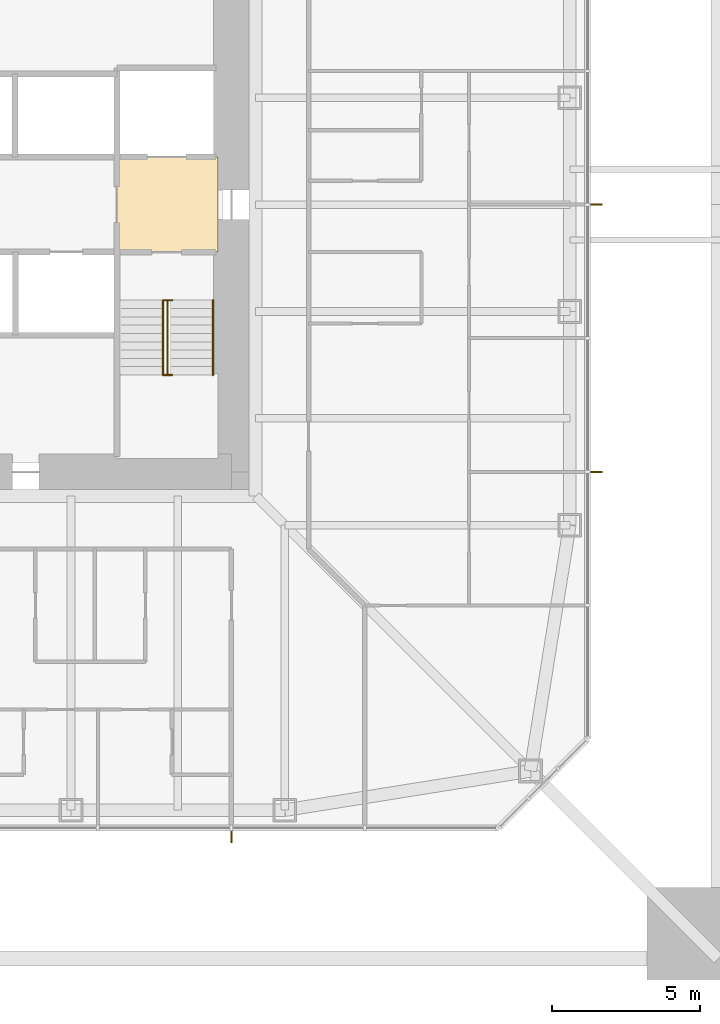
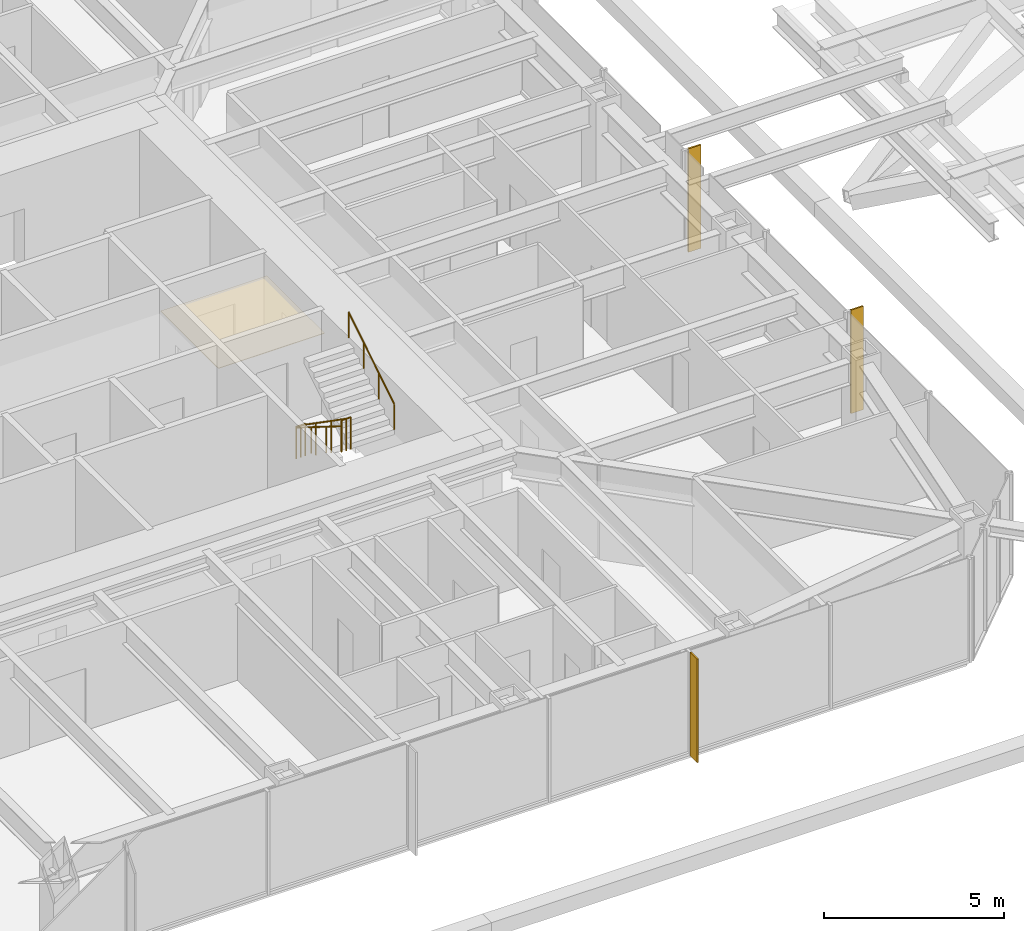
# One storey, part 24 of 26: 3 railings, 3 shading devices, 1 covering.
"""IFC4 building model written with IfcOpenShell, lengths in metres."""

from ifc_helpers import new_model, si_unit, direction, frame, origin, origin_2d, place, context, subcontext, project, spatial, polyline, rectangle, circle, outline, extrude, material, layer, layer_set, constituent, constituent_set, type_object, element, save


model = new_model("IFC4")

# Units and contexts
model_context = context("Model", 3, precision=1e-05, world=origin(), true_north=direction((0.0, 1.0)))
body_context = subcontext(model_context, "Body", "Model", "MODEL_VIEW")
ifc_project = project(units=[si_unit("LENGTHUNIT", "METRE"), si_unit("AREAUNIT", "SQUARE_METRE"), si_unit("VOLUMEUNIT", "CUBIC_METRE"), si_unit("PLANEANGLEUNIT", "RADIAN"), si_unit("MASSUNIT", "GRAM", prefix="KILO")], contexts=[model_context])

# Site, building, storey
site_placement = place(None, origin())
site = spatial("IfcSite", under=ifc_project, at=site_placement, CompositionType="ELEMENT")
building_placement = place(site_placement, origin())
building = spatial("IfcBuilding", under=site, at=building_placement, Name="Iwan Alto Co-Living Towers", CompositionType="ELEMENT")
storey_placement = place(building_placement, frame((0.0, 0.0, 126.0)))
storey = spatial("IfcBuildingStorey", under=building, at=storey_placement, Name="L34", CompositionType="ELEMENT", Elevation=126.0)

# Covering
ifc_material_1 = material(Name="Mineral fibre acoustic tiles on steel grid", Category="steel")
ifc_layer_1 = layer(ifc_material_1, 0.02001953125)
ifc_layer_set_1 = layer_set([ifc_layer_1], Name="ACOUSTIC TILE CEILING 20")
covering_type = type_object("IfcCoveringType", Name="ACOUSTIC TILE CEILING 20", PredefinedType="CEILING", material=ifc_layer_set_1)
covering_placement = place(storey_placement, frame((0.0, 0.0, 2.60009765625)))
element("IfcCovering", 1, at=covering_placement, inside=storey, type_object=covering_type, Name="Ceiling Firefighting lobby L34", PredefinedType="CEILING", context=body_context, shape_type="SweptSolid", body=[
    extrude(outline(polyline([(5.14990234375, -1.60009765625), (5.14990234375, 1.60009765625), (8.550048828125, 1.60009765625), (8.550048828125, -1.60009765625), (5.14990234375, -1.60009765625)])), origin(), (0.0, 0.0, 1.0), 0.02001953125),
])

# Shading devices
ifc_material_2 = material(Name="Aluminium 6063-T6 bronze anodised", Category="aluminium")
ifc_layer_2 = layer(ifc_material_2, 0.050048828125)
ifc_layer_set_2 = layer_set([ifc_layer_2], Name="BRONZE FIN 50X400")
shading_device_type = type_object("IfcShadingDeviceType", Name="BRONZE FIN 50X400", PredefinedType="USERDEFINED", material=ifc_layer_set_2)
for number, where, z_axis, x_axis, name in (
    (2, (9.0, -21.300048828125, 0.0), (0.0, 0.0, 1.0), (1.0, 0.0, 0.0), "Bronze fin L34"),
    (3, (21.300048828125, -9.0, 0.0), (0.0, 0.0, 1.0), (0.0, 1.0, 0.0), "Bronze fin L34"),
    (4, (21.300048828125, 0.0, 0.0), (0.0, 0.0, 1.0), (0.0, 1.0, 0.0), "Bronze fin L34"),
):
    element("IfcShadingDevice", number, at=place(storey_placement, frame(where, z_axis=z_axis, x_axis=x_axis)), inside=storey, type_object=shading_device_type, Name=name, ObjectType="LOUVER", PredefinedType="USERDEFINED", context=body_context, shape_type="SweptSolid", body=[
        extrude(rectangle(XDim=0.050048828125, YDim=0.39990234375, at=origin_2d()), origin(), (0.0, 0.0, 1.0), 3.5),
    ])

# Railings
ifc_material_3 = material(Name="Steel ASTM A500 Gr C", Category="steel")
ifc_constituent_1 = constituent(ifc_material_3, Name="Rails and posts", Category="Framing")
ifc_material_4 = material(Name="Steel ASTM A36", Category="steel")
ifc_constituent_2 = constituent(ifc_material_4, Name="Bar infill", Category="Infill")
ifc_constituent_set = constituent_set(constituents=[ifc_constituent_1, ifc_constituent_2], Name="STAIR GUARD 1100")
railing_type_1 = type_object("IfcRailingType", Name="STAIR GUARD 1100", PredefinedType="GUARDRAIL", material=ifc_constituent_set)
railing_1_placement = place(storey_placement, frame((6.85009765625, -3.219970703125, 0.0)))
element("IfcRailing", 5, at=railing_1_placement, inside=storey, type_object=railing_type_1, Name="Stair T1-S2 well guard L34", PredefinedType="GUARDRAIL", context=body_context, shape_type="SweptSolid", body=[
    extrude(circle(Radius=0.02392578125, at=origin_2d()), frame((0.0, 0.0, 1.076171875), z_axis=(0.0, -0.821372036852, 0.570392826987), x_axis=(1.0, 0.0, 0.0)), (0.0, 0.0, 1.0), 3.068115234375),
    extrude(circle(Radius=0.02392578125, at=origin_2d()), frame((-0.150146484375, 0.0, 1.076171875), z_axis=(1.0, 0.0, 0.0), x_axis=(0.0, 1.0, 0.0)), (0.0, 0.0, 1.0), 0.300048828125),
    extrude(circle(Radius=0.02392578125, at=origin_2d()), frame((-0.150146484375, -2.52001953125, 2.826171875), z_axis=(1.0, 0.0, 0.0), x_axis=(0.0, 1.0, 0.0)), (0.0, 0.0, 1.0), 0.300048828125),
    extrude(circle(Radius=0.02099609375, at=origin_2d()), origin(), (0.0, 0.0, 1.0), 1.052001953125),
    extrude(circle(Radius=0.02099609375, at=origin_2d()), frame((0.0, -0.840087890625, 0.583251953125)), (0.0, 0.0, 1.0), 1.052001953125),
    extrude(circle(Radius=0.02099609375, at=origin_2d()), frame((0.0, -1.679931640625, 1.166748046875)), (0.0, 0.0, 1.0), 1.052001953125),
    extrude(circle(Radius=0.02099609375, at=origin_2d()), frame((0.0, -2.52001953125, 1.75)), (0.0, 0.0, 1.0), 1.052001953125),
    extrude(circle(Radius=0.02099609375, at=origin_2d()), frame((-0.150146484375, 0.0, 0.0)), (0.0, 0.0, 1.0), 1.052001953125),
    extrude(circle(Radius=0.02099609375, at=origin_2d()), frame((0.14990234375, 0.0, 0.0)), (0.0, 0.0, 1.0), 1.052001953125),
    extrude(circle(Radius=0.02099609375, at=origin_2d()), frame((-0.150146484375, -2.52001953125, 1.75)), (0.0, 0.0, 1.0), 1.052001953125),
    extrude(circle(Radius=0.02099609375, at=origin_2d()), frame((0.14990234375, -2.52001953125, 1.75)), (0.0, 0.0, 1.0), 1.052001953125),
])
ifc_material_5 = material(Name="Steel ASTM A500 Gr C", Category="steel")
railing_type_2 = type_object("IfcRailingType", Name="STAIR HANDRAIL 900", PredefinedType="HANDRAIL", material=ifc_material_5)
railing_2_placement = place(storey_placement, frame((6.699951171875, -3.219970703125, 0.175048828125)))
element("IfcRailing", 6, at=railing_2_placement, inside=storey, type_object=railing_type_2, Name="Stair T1-S2 handrail 1 L34", PredefinedType="HANDRAIL", context=body_context, shape_type="SweptSolid", body=[
    extrude(circle(Radius=0.02392578125, at=origin_2d()), frame((0.0, 0.0, 0.8759765625), z_axis=(0.0, -0.848007534815, 0.529984170421), x_axis=(1.0, 0.0, 0.0)), (0.0, 0.0, 1.0), 2.9716796875),
    extrude(circle(Radius=0.02099609375, at=origin_2d()), origin(), (0.0, 0.0, 1.0), 0.851806640625),
    extrude(circle(Radius=0.02099609375, at=origin_2d()), frame((0.0, -0.840087890625, 0.52490234375)), (0.0, 0.0, 1.0), 0.851806640625),
    extrude(circle(Radius=0.02099609375, at=origin_2d()), frame((0.0, -1.679931640625, 1.050048828125)), (0.0, 0.0, 1.0), 0.851806640625),
    extrude(circle(Radius=0.02099609375, at=origin_2d()), frame((0.0, -2.52001953125, 1.574951171875)), (0.0, 0.0, 1.0), 0.851806640625),
])
railing_3_placement = place(storey_placement, frame((8.3798828125, -5.739990234375, 1.925048828125)))
element("IfcRailing", 7, at=railing_3_placement, inside=storey, type_object=railing_type_2, Name="Stair T1-S2 handrail 2 L34", PredefinedType="HANDRAIL", context=body_context, shape_type="SweptSolid", body=[
    extrude(circle(Radius=0.02392578125, at=origin_2d()), frame((0.0, 0.0, 0.8759765625), z_axis=(0.0, 0.848007534815, 0.529984170421), x_axis=(-1.0, 0.0, 0.0)), (0.0, 0.0, 1.0), 2.9716796875),
    extrude(circle(Radius=0.02099609375, at=origin_2d()), origin(), (0.0, 0.0, 1.0), 0.851806640625),
    extrude(circle(Radius=0.02099609375, at=origin_2d()), frame((0.0, 0.840087890625, 0.52490234375)), (0.0, 0.0, 1.0), 0.851806640625),
    extrude(circle(Radius=0.02099609375, at=origin_2d()), frame((0.0, 1.679931640625, 1.050048828125)), (0.0, 0.0, 1.0), 0.851806640625),
    extrude(circle(Radius=0.02099609375, at=origin_2d()), frame((0.0, 2.52001953125, 1.574951171875)), (0.0, 0.0, 1.0), 0.851806640625),
])

save(model, "model.ifc")
